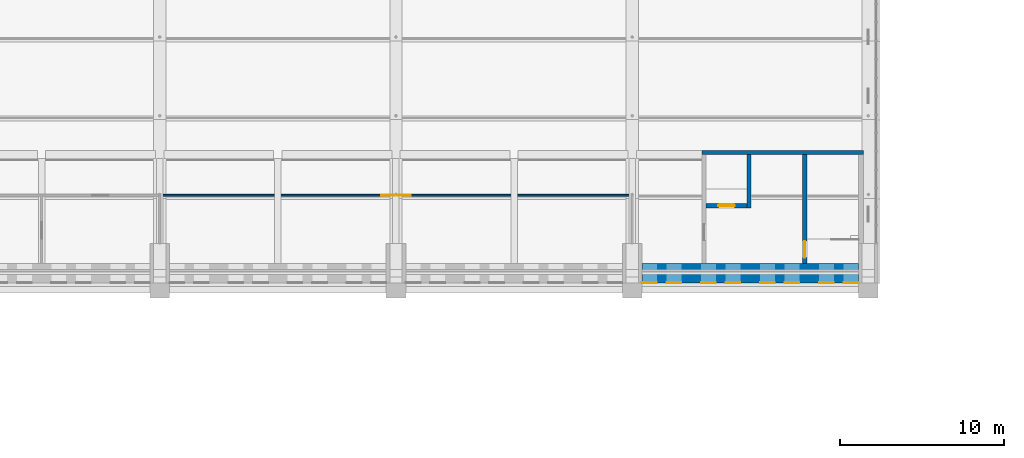
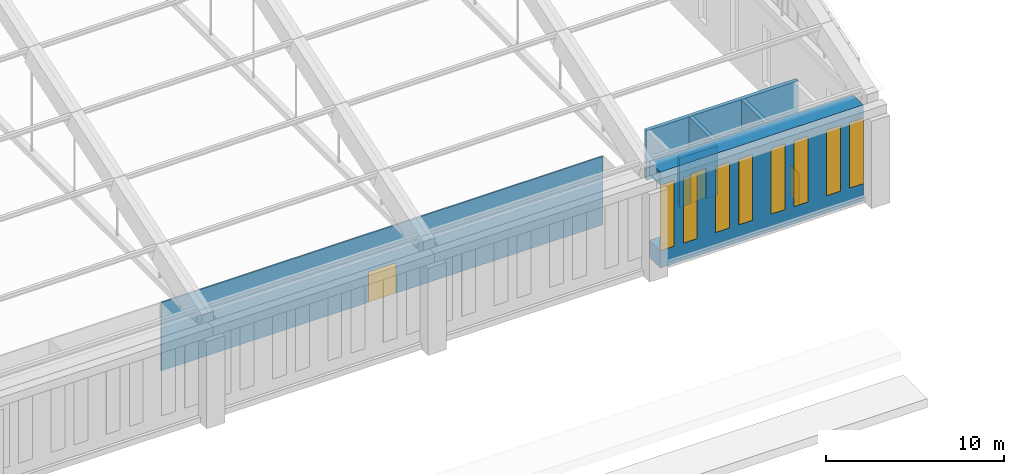
# One storey, part 126 of 149: 8 windows, 6 walls, 3 doors, 11 openings.
"""IFC4 building model written with IfcOpenShell, lengths in metres."""

from ifc_helpers import new_model, si_unit, direction, frame, frame_2d, origin, place, context, subcontext, project, spatial, rectangle, extrude, material, layer, layer_set, type_object, element, fill, save


model = new_model("IFC4")

# Units and contexts
model_context = context("Model", 3, precision=1e-05, world=origin(), true_north=direction((0.0, 1.0)))
body_context = subcontext(model_context, "Body", "Model", "MODEL_VIEW")
ifc_project = project(units=[si_unit("LENGTHUNIT", "METRE"), si_unit("AREAUNIT", "SQUARE_METRE"), si_unit("VOLUMEUNIT", "CUBIC_METRE"), si_unit("PLANEANGLEUNIT", "RADIAN"), si_unit("MASSUNIT", "GRAM", prefix="KILO")], contexts=[model_context])

# Site, building, storey
site_placement = place(None, origin())
site = spatial("IfcSite", under=ifc_project, at=site_placement, CompositionType="ELEMENT")
building_placement = place(site_placement, origin())
building = spatial("IfcBuilding", under=site, at=building_placement, Name="Alderwick Market Hall", CompositionType="ELEMENT")
storey_placement = place(building_placement, frame((0.0, 0.0, 9.60009765625)))
storey = spatial("IfcBuildingStorey", under=building, at=storey_placement, Name="L01", CompositionType="ELEMENT", Elevation=9.60009765625)

# Wall
ifc_material_1 = material(Name="Concrete 5000 psi (f'c 35 MPa)", Category="concrete")
ifc_layer_1 = layer(ifc_material_1, 0.25)
ifc_layer_set_1 = layer_set([ifc_layer_1], Name="Concrete 5000 psi (f'c 35 MPa)")
wall_type_1 = type_object("IfcWallType", Name="H Core wall 250", PredefinedType="SOLIDWALL", material=ifc_layer_set_1)
wall_1_placement = place(storey_placement, frame((141.050048828125, 57.764892578125, 0.0), z_axis=(0.0, 0.0, 1.0), x_axis=(1.0, 0.0, 0.0)))
element("IfcWall", 1, at=wall_1_placement, inside=storey, type_object=wall_type_1, Name="Core wall H-SE", PredefinedType="SOLIDWALL", context=body_context, shape_type="SweptSolid", body=[
    extrude(rectangle(XDim=9.849853515625, YDim=0.25, at=frame_2d((4.9248046875, 0.0))), origin(), (0.0, 0.0, 1.0), 3.39990234375),
])

# Wall, opening, door
wall_2_placement = place(storey_placement, frame((147.324951171875, 51.0, 0.0), z_axis=(0.0, 0.0, 1.0), x_axis=(0.0, 1.0, 0.0)))
wall_2 = element("IfcWall", 2, at=wall_2_placement, inside=storey, type_object=wall_type_1, Name="Core wall H-SE", PredefinedType="SOLIDWALL", context=body_context, shape_type="SweptSolid", body=[
    extrude(rectangle(XDim=6.639892578125, YDim=0.25, at=frame_2d((3.31982421875, 0.0))), origin(), (0.0, 0.0, 1.0), 3.39990234375),
])
opening_1_placement = place(wall_2_placement, frame((0.35009765625, 0.0, 0.0)))
opening_1 = element("IfcOpeningElement", 3, at=opening_1_placement, cuts=wall_2, Name="Opening H-D045", PredefinedType="OPENING", context=body_context, shape_type="SweptSolid", body=[
    extrude(rectangle(XDim=1.0, YDim=2.10009765625, at=frame_2d((0.5, 1.050048828125))), frame((0.0, 0.135009765625, 0.0), z_axis=(0.0, -1.0, 0.0), x_axis=(1.0, 0.0, 0.0)), (0.0, 0.0, 1.0), 0.27001953125),
])
ifc_material_2 = material(Name="Steel, fire-rated", Category="steel")
door_type_1 = type_object("IfcDoorType", Name="H Stair door FD90 1000x2100", OperationType="SINGLE_SWING_LEFT", PredefinedType="DOOR", material=ifc_material_2)
door_1_placement = place(opening_1_placement, origin())
door_1 = element("IfcDoor", 4, at=door_1_placement, inside=storey, type_object=door_type_1, Name="Door H-D045", OperationType="SINGLE_SWING_LEFT", OverallHeight=2.10009765625, OverallWidth=1.0, PredefinedType="DOOR", context=body_context, shape_type="SweptSolid", body=[
    extrude(rectangle(XDim=1.0, YDim=2.10009765625, at=frame_2d((0.5, 1.050048828125))), frame((0.0, 0.02490234375, 0.0), z_axis=(0.0, -1.0, 0.0), x_axis=(1.0, 0.0, 0.0)), (0.0, 0.0, 1.0), 0.050048828125),
])
fill(opening_1, door_1)

# Wall
wall_3_placement = place(storey_placement, frame((143.925048828125, 54.389892578125, 0.0), z_axis=(0.0, 0.0, 1.0), x_axis=(0.0, 1.0, 0.0)))
element("IfcWall", 5, at=wall_3_placement, inside=storey, type_object=wall_type_1, Name="Core wall H-SE", PredefinedType="SOLIDWALL", context=body_context, shape_type="SweptSolid", body=[
    extrude(rectangle(XDim=3.25, YDim=0.25, at=frame_2d((1.625, 0.0))), origin(), (0.0, 0.0, 1.0), 3.39990234375),
])

# Wall, opening, door
wall_4_placement = place(storey_placement, frame((141.300048828125, 54.514892578125, 0.0), z_axis=(0.0, 0.0, 1.0), x_axis=(1.0, 0.0, 0.0)))
wall_4 = element("IfcWall", 6, at=wall_4_placement, inside=storey, type_object=wall_type_1, Name="Core wall H-SE", PredefinedType="SOLIDWALL", context=body_context, shape_type="SweptSolid", body=[
    extrude(rectangle(XDim=2.5, YDim=0.25, at=frame_2d((1.25, 0.0))), origin(), (0.0, 0.0, 1.0), 3.39990234375),
])
opening_2_placement = place(wall_4_placement, frame((0.75, 0.0, 0.0)))
opening_2 = element("IfcOpeningElement", 7, at=opening_2_placement, cuts=wall_4, Name="Opening H-D044", PredefinedType="OPENING", context=body_context, shape_type="SweptSolid", body=[
    extrude(rectangle(XDim=1.0, YDim=2.10009765625, at=frame_2d((0.5, 1.050048828125))), frame((0.0, 0.135009765625, 0.0), z_axis=(0.0, -1.0, 0.0), x_axis=(1.0, 0.0, 0.0)), (0.0, 0.0, 1.0), 0.27001953125),
])
ifc_material_3 = material(Name="Timber, solid core", Category="wood")
door_type_2 = type_object("IfcDoorType", Name="H Room door 1000x2100", OperationType="SINGLE_SWING_LEFT", PredefinedType="DOOR", material=ifc_material_3)
door_2_placement = place(opening_2_placement, origin())
door_2 = element("IfcDoor", 8, at=door_2_placement, inside=storey, type_object=door_type_2, Name="Door H-D044", OperationType="SINGLE_SWING_LEFT", OverallHeight=2.10009765625, OverallWidth=1.0, PredefinedType="DOOR", context=body_context, shape_type="SweptSolid", body=[
    extrude(rectangle(XDim=1.0, YDim=2.10009765625, at=frame_2d((0.5, 1.050048828125))), frame((0.0, 0.02490234375, 0.0), z_axis=(0.0, -1.0, 0.0), x_axis=(1.0, 0.0, 0.0)), (0.0, 0.0, 1.0), 0.050048828125),
])
fill(opening_2, door_2)

# Wall, openings, windows
ifc_layer_2 = layer(ifc_material_1, 1.199951171875)
ifc_layer_set_2 = layer_set([ifc_layer_2], Name="Concrete 5000 psi (f'c 35 MPa)")
wall_type_2 = type_object("IfcWallType", Name="H Long wall 1200", PredefinedType="SOLIDWALL", material=ifc_layer_set_2)
wall_5_placement = place(storey_placement, frame((137.39990234375, 50.39990234375, 0.0), z_axis=(0.0, 0.0, 1.0), x_axis=(1.0, 0.0, 0.0)))
wall_5 = element("IfcWall", 9, at=wall_5_placement, inside=storey, type_object=wall_type_2, Name="Long wall S L01 7", PredefinedType="SOLIDWALL", context=body_context, shape_type="SweptSolid", body=[
    extrude(rectangle(XDim=13.2001953125, YDim=1.199951171875, at=frame_2d((6.60009765625, 0.0))), origin(), (0.0, 0.0, 1.0), 6.599853515625),
])
opening_3_placement = place(wall_5_placement, frame((0.0, 0.0, 1.199951171875)))
opening_3 = element("IfcOpeningElement", 10, at=opening_3_placement, cuts=wall_5, Name="Opening H-W101", PredefinedType="OPENING", context=body_context, shape_type="SweptSolid", body=[
    extrude(rectangle(XDim=0.89990234375, YDim=4.5, at=frame_2d((0.449951171875, 2.25))), frame((0.0, 0.60986328125, 0.0), z_axis=(0.0, -1.0, 0.0), x_axis=(1.0, 0.0, 0.0)), (0.0, 0.0, 1.0), 1.219970703125),
])
opening_4_placement = place(wall_5_placement, frame((1.5, 0.0, 1.199951171875)))
opening_4 = element("IfcOpeningElement", 11, at=opening_4_placement, cuts=wall_5, Name="Opening H-W102", PredefinedType="OPENING", context=body_context, shape_type="SweptSolid", body=[
    extrude(rectangle(XDim=0.89990234375, YDim=4.5, at=frame_2d((0.449951171875, 2.25))), frame((0.0, 0.60986328125, 0.0), z_axis=(0.0, -1.0, 0.0), x_axis=(1.0, 0.0, 0.0)), (0.0, 0.0, 1.0), 1.219970703125),
])
opening_5_placement = place(wall_5_placement, frame((3.60009765625, 0.0, 1.199951171875)))
opening_5 = element("IfcOpeningElement", 12, at=opening_5_placement, cuts=wall_5, Name="Opening H-W103", PredefinedType="OPENING", context=body_context, shape_type="SweptSolid", body=[
    extrude(rectangle(XDim=0.89990234375, YDim=4.5, at=frame_2d((0.449951171875, 2.25))), frame((0.0, 0.60986328125, 0.0), z_axis=(0.0, -1.0, 0.0), x_axis=(1.0, 0.0, 0.0)), (0.0, 0.0, 1.0), 1.219970703125),
])
opening_6_placement = place(wall_5_placement, frame((5.10009765625, 0.0, 1.199951171875)))
opening_6 = element("IfcOpeningElement", 13, at=opening_6_placement, cuts=wall_5, Name="Opening H-W104", PredefinedType="OPENING", context=body_context, shape_type="SweptSolid", body=[
    extrude(rectangle(XDim=0.89990234375, YDim=4.5, at=frame_2d((0.449951171875, 2.25))), frame((0.0, 0.60986328125, 0.0), z_axis=(0.0, -1.0, 0.0), x_axis=(1.0, 0.0, 0.0)), (0.0, 0.0, 1.0), 1.219970703125),
])
opening_7_placement = place(wall_5_placement, frame((7.199951171875, 0.0, 1.199951171875)))
opening_7 = element("IfcOpeningElement", 14, at=opening_7_placement, cuts=wall_5, Name="Opening H-W105", PredefinedType="OPENING", context=body_context, shape_type="SweptSolid", body=[
    extrude(rectangle(XDim=0.89990234375, YDim=4.5, at=frame_2d((0.449951171875, 2.25))), frame((0.0, 0.60986328125, 0.0), z_axis=(0.0, -1.0, 0.0), x_axis=(1.0, 0.0, 0.0)), (0.0, 0.0, 1.0), 1.219970703125),
])
opening_8_placement = place(wall_5_placement, frame((8.699951171875, 0.0, 1.199951171875)))
opening_8 = element("IfcOpeningElement", 15, at=opening_8_placement, cuts=wall_5, Name="Opening H-W106", PredefinedType="OPENING", context=body_context, shape_type="SweptSolid", body=[
    extrude(rectangle(XDim=0.89990234375, YDim=4.5, at=frame_2d((0.449951171875, 2.25))), frame((0.0, 0.60986328125, 0.0), z_axis=(0.0, -1.0, 0.0), x_axis=(1.0, 0.0, 0.0)), (0.0, 0.0, 1.0), 1.219970703125),
])
opening_9_placement = place(wall_5_placement, frame((10.800048828125, 0.0, 1.199951171875)))
opening_9 = element("IfcOpeningElement", 16, at=opening_9_placement, cuts=wall_5, Name="Opening H-W107", PredefinedType="OPENING", context=body_context, shape_type="SweptSolid", body=[
    extrude(rectangle(XDim=0.89990234375, YDim=4.5, at=frame_2d((0.449951171875, 2.25))), frame((0.0, 0.60986328125, 0.0), z_axis=(0.0, -1.0, 0.0), x_axis=(1.0, 0.0, 0.0)), (0.0, 0.0, 1.0), 1.219970703125),
])
opening_10_placement = place(wall_5_placement, frame((12.300048828125, 0.0, 1.199951171875)))
opening_10 = element("IfcOpeningElement", 17, at=opening_10_placement, cuts=wall_5, Name="Opening H-W108", PredefinedType="OPENING", context=body_context, shape_type="SweptSolid", body=[
    extrude(rectangle(XDim=0.89990234375, YDim=4.5, at=frame_2d((0.449951171875, 2.25))), frame((0.0, 0.60986328125, 0.0), z_axis=(0.0, -1.0, 0.0), x_axis=(1.0, 0.0, 0.0)), (0.0, 0.0, 1.0), 1.219970703125),
])
ifc_material_4 = material(Name="Aluminium frame with insulated glass", Category="aluminium")
window_type = type_object("IfcWindowType", Name="H Window 900x4500", PartitioningType="SINGLE_PANEL", PredefinedType="WINDOW", material=ifc_material_4)
window_1_placement = place(opening_3_placement, origin())
window_1 = element("IfcWindow", 18, at=window_1_placement, inside=storey, type_object=window_type, Name="Window H-W101", OverallHeight=4.5, OverallWidth=0.89990234375, PartitioningType="SINGLE_PANEL", PredefinedType="WINDOW", context=body_context, shape_type="SweptSolid", body=[
    extrude(rectangle(XDim=0.89990234375, YDim=4.5, at=frame_2d((0.449951171875, 2.25))), frame((0.0, -0.550048828125, 0.0), z_axis=(0.0, -1.0, 0.0), x_axis=(1.0, 0.0, 0.0)), (0.0, 0.0, 1.0), 0.06005859375),
])
fill(opening_3, window_1)
window_2_placement = place(opening_4_placement, origin())
window_2 = element("IfcWindow", 19, at=window_2_placement, inside=storey, type_object=window_type, Name="Window H-W102", OverallHeight=4.5, OverallWidth=0.89990234375, PartitioningType="SINGLE_PANEL", PredefinedType="WINDOW", context=body_context, shape_type="SweptSolid", body=[
    extrude(rectangle(XDim=0.89990234375, YDim=4.5, at=frame_2d((0.449951171875, 2.25))), frame((0.0, -0.550048828125, 0.0), z_axis=(0.0, -1.0, 0.0), x_axis=(1.0, 0.0, 0.0)), (0.0, 0.0, 1.0), 0.06005859375),
])
fill(opening_4, window_2)
window_3_placement = place(opening_5_placement, origin())
window_3 = element("IfcWindow", 20, at=window_3_placement, inside=storey, type_object=window_type, Name="Window H-W103", OverallHeight=4.5, OverallWidth=0.89990234375, PartitioningType="SINGLE_PANEL", PredefinedType="WINDOW", context=body_context, shape_type="SweptSolid", body=[
    extrude(rectangle(XDim=0.89990234375, YDim=4.5, at=frame_2d((0.449951171875, 2.25))), frame((0.0, -0.550048828125, 0.0), z_axis=(0.0, -1.0, 0.0), x_axis=(1.0, 0.0, 0.0)), (0.0, 0.0, 1.0), 0.06005859375),
])
fill(opening_5, window_3)
window_4_placement = place(opening_6_placement, origin())
window_4 = element("IfcWindow", 21, at=window_4_placement, inside=storey, type_object=window_type, Name="Window H-W104", OverallHeight=4.5, OverallWidth=0.89990234375, PartitioningType="SINGLE_PANEL", PredefinedType="WINDOW", context=body_context, shape_type="SweptSolid", body=[
    extrude(rectangle(XDim=0.89990234375, YDim=4.5, at=frame_2d((0.449951171875, 2.25))), frame((0.0, -0.550048828125, 0.0), z_axis=(0.0, -1.0, 0.0), x_axis=(1.0, 0.0, 0.0)), (0.0, 0.0, 1.0), 0.06005859375),
])
fill(opening_6, window_4)
window_5_placement = place(opening_7_placement, origin())
window_5 = element("IfcWindow", 22, at=window_5_placement, inside=storey, type_object=window_type, Name="Window H-W105", OverallHeight=4.5, OverallWidth=0.89990234375, PartitioningType="SINGLE_PANEL", PredefinedType="WINDOW", context=body_context, shape_type="SweptSolid", body=[
    extrude(rectangle(XDim=0.89990234375, YDim=4.5, at=frame_2d((0.449951171875, 2.25))), frame((0.0, -0.550048828125, 0.0), z_axis=(0.0, -1.0, 0.0), x_axis=(1.0, 0.0, 0.0)), (0.0, 0.0, 1.0), 0.06005859375),
])
fill(opening_7, window_5)
window_6_placement = place(opening_8_placement, origin())
window_6 = element("IfcWindow", 23, at=window_6_placement, inside=storey, type_object=window_type, Name="Window H-W106", OverallHeight=4.5, OverallWidth=0.89990234375, PartitioningType="SINGLE_PANEL", PredefinedType="WINDOW", context=body_context, shape_type="SweptSolid", body=[
    extrude(rectangle(XDim=0.89990234375, YDim=4.5, at=frame_2d((0.449951171875, 2.25))), frame((0.0, -0.550048828125, 0.0), z_axis=(0.0, -1.0, 0.0), x_axis=(1.0, 0.0, 0.0)), (0.0, 0.0, 1.0), 0.06005859375),
])
fill(opening_8, window_6)
window_7_placement = place(opening_9_placement, origin())
window_7 = element("IfcWindow", 24, at=window_7_placement, inside=storey, type_object=window_type, Name="Window H-W107", OverallHeight=4.5, OverallWidth=0.89990234375, PartitioningType="SINGLE_PANEL", PredefinedType="WINDOW", context=body_context, shape_type="SweptSolid", body=[
    extrude(rectangle(XDim=0.89990234375, YDim=4.5, at=frame_2d((0.449951171875, 2.25))), frame((0.0, -0.550048828125, 0.0), z_axis=(0.0, -1.0, 0.0), x_axis=(1.0, 0.0, 0.0)), (0.0, 0.0, 1.0), 0.06005859375),
])
fill(opening_9, window_7)
window_8_placement = place(opening_10_placement, origin())
window_8 = element("IfcWindow", 25, at=window_8_placement, inside=storey, type_object=window_type, Name="Window H-W108", OverallHeight=4.5, OverallWidth=0.89990234375, PartitioningType="SINGLE_PANEL", PredefinedType="WINDOW", context=body_context, shape_type="SweptSolid", body=[
    extrude(rectangle(XDim=0.89990234375, YDim=4.5, at=frame_2d((0.449951171875, 2.25))), frame((0.0, -0.550048828125, 0.0), z_axis=(0.0, -1.0, 0.0), x_axis=(1.0, 0.0, 0.0)), (0.0, 0.0, 1.0), 0.06005859375),
])
fill(opening_10, window_8)

# Wall, opening, door
ifc_material_5 = material(Name="Gypsum board partition")
ifc_layer_3 = layer(ifc_material_5, 0.10009765625)
ifc_layer_set_3 = layer_set([ifc_layer_3], Name="Gypsum board partition")
wall_type_3 = type_object("IfcWallType", Name="H Partition 100", PredefinedType="PARTITIONING", material=ifc_layer_set_3)
wall_6_placement = place(storey_placement, frame((108.050048828125, 55.14990234375, 0.0), z_axis=(0.0, 0.0, 1.0), x_axis=(1.0, 0.0, 0.0)))
wall_6 = element("IfcWall", 26, at=wall_6_placement, inside=storey, type_object=wall_type_3, Name="Partition", PredefinedType="PARTITIONING", context=body_context, shape_type="SweptSolid", body=[
    extrude(rectangle(XDim=28.699951171875, YDim=0.10009765625, at=frame_2d((14.35009765625, 0.0))), origin(), (0.0, 0.0, 1.0), 4.699951171875),
])
opening_11_placement = place(wall_6_placement, frame((13.449951171875, 0.0, 0.0)))
opening_11 = element("IfcOpeningElement", 27, at=opening_11_placement, cuts=wall_6, Name="Opening H-D088", PredefinedType="OPENING", context=body_context, shape_type="SweptSolid", body=[
    extrude(rectangle(XDim=1.800048828125, YDim=2.10009765625, at=frame_2d((0.89990234375, 1.050048828125))), frame((0.0, 0.06005859375, 0.0), z_axis=(0.0, -1.0, 0.0), x_axis=(1.0, 0.0, 0.0)), (0.0, 0.0, 1.0), 0.1201171875),
])
ifc_material_6 = material(Name="Timber and glass", Category="wood")
door_type_3 = type_object("IfcDoorType", Name="H Double door 1800x2100", OperationType="DOUBLE_DOOR_SINGLE_SWING", PredefinedType="DOOR", material=ifc_material_6)
door_3_placement = place(opening_11_placement, origin())
door_3 = element("IfcDoor", 28, at=door_3_placement, inside=storey, type_object=door_type_3, Name="Door H-D088", OperationType="DOUBLE_DOOR_SINGLE_SWING", OverallHeight=2.10009765625, OverallWidth=1.800048828125, PredefinedType="DOOR", context=body_context, shape_type="SweptSolid", body=[
    extrude(rectangle(XDim=1.800048828125, YDim=2.10009765625, at=frame_2d((0.89990234375, 1.050048828125))), frame((0.0, 0.02490234375, 0.0), z_axis=(0.0, -1.0, 0.0), x_axis=(1.0, 0.0, 0.0)), (0.0, 0.0, 1.0), 0.050048828125),
])
fill(opening_11, door_3)

save(model, "model.ifc")
